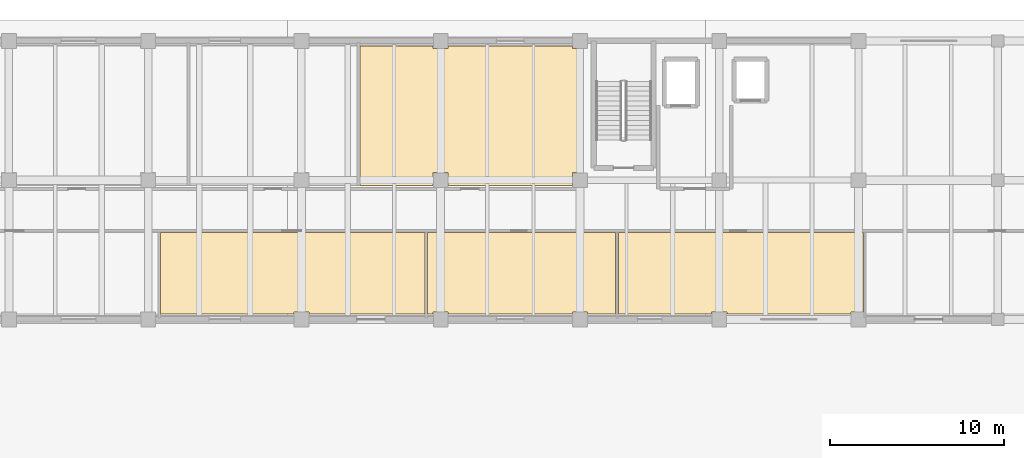
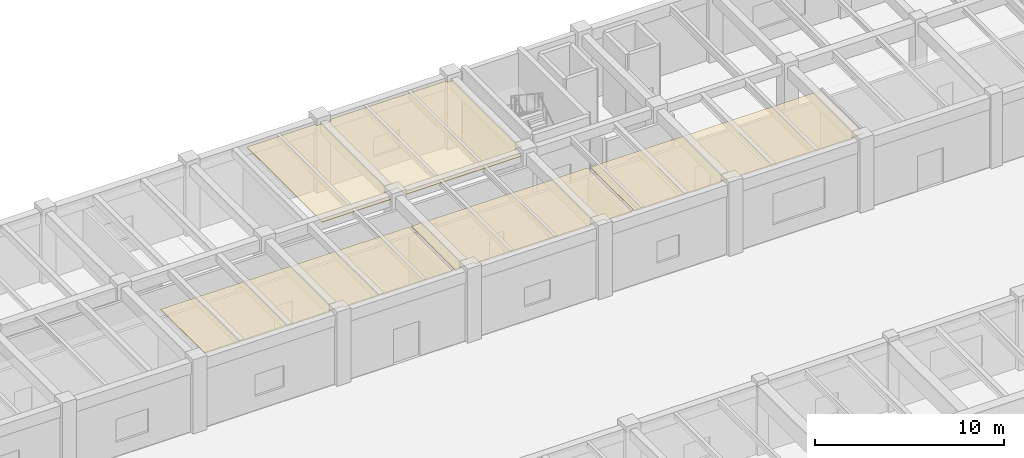
# One storey, part 57 of 64: 4 coverings.
"""IFC4 building model written with IfcOpenShell, lengths in metres."""

from ifc_helpers import new_model, si_unit, direction, frame, origin, place, context, subcontext, project, spatial, polyline, outline, extrude, material, layer, layer_set, type_object, element, save


model = new_model("IFC4")

# Units and contexts
model_context = context("Model", 3, precision=1e-05, world=origin(), true_north=direction((0.0, 1.0)))
body_context = subcontext(model_context, "Body", "Model", "MODEL_VIEW")
ifc_project = project(units=[si_unit("LENGTHUNIT", "METRE"), si_unit("AREAUNIT", "SQUARE_METRE"), si_unit("VOLUMEUNIT", "CUBIC_METRE"), si_unit("PLANEANGLEUNIT", "RADIAN"), si_unit("MASSUNIT", "GRAM", prefix="KILO")], contexts=[model_context])

# Site, building, storey
site_placement = place(None, origin())
site = spatial("IfcSite", under=ifc_project, at=site_placement, CompositionType="ELEMENT")
building_placement = place(site_placement, origin())
building = spatial("IfcBuilding", under=site, at=building_placement, Name="Tlaxcora Railside Police Headquarters", CompositionType="ELEMENT")
storey_placement = place(building_placement, origin())
storey = spatial("IfcBuildingStorey", under=building, at=storey_placement, Name="L00", CompositionType="ELEMENT", Elevation=0.0)

# Coverings
ifc_material = material(Name="Mineral-fibre acoustic ceiling tile")
ifc_layer = layer(ifc_material, 0.034912109375, Name="Mineral-fibre acoustic ceiling tile")
ifc_layer_set = layer_set([ifc_layer], Name="Mineral-fibre acoustic ceiling tile")
covering_type = type_object("IfcCoveringType", Name="Acoustic Suspended Ceiling CLG-01", PredefinedType="CEILING", material=ifc_layer_set)
covering_1_placement = place(storey_placement, frame((0.0, 0.0, 4.364990234375)))
element("IfcCovering", 1, at=covering_1_placement, inside=storey, type_object=covering_type, Name="Patrol Sergeant Operations Suite suspended ceiling", PredefinedType="CEILING", context=body_context, shape_type="SweptSolid", body=[
    extrude(outline(polyline([(45.912109375, 77.10009765625), (53.56494140625, 77.10009765625), (53.56494140625, 77.235107421875), (54.43505859375, 77.235107421875), (54.43505859375, 77.10009765625), (61.087890625, 77.10009765625), (61.087890625, 81.800048828125), (45.912109375, 81.800048828125), (45.912109375, 77.10009765625)])), origin(), (0.0, 0.0, 1.0), 0.034912109375),
])
covering_2_placement = place(storey_placement, frame((0.0, 0.0, 4.364990234375)))
element("IfcCovering", 2, at=covering_2_placement, inside=storey, type_object=covering_type, Name="Field Kit and Body-Camera Issue Room suspended ceiling", PredefinedType="CEILING", context=body_context, shape_type="SweptSolid", body=[
    extrude(outline(polyline([(61.248046875, 81.800048828125), (61.248046875, 77.10009765625), (61.56494140625, 77.10009765625), (61.56494140625, 77.235107421875), (62.43505859375, 77.235107421875), (62.43505859375, 77.10009765625), (69.56494140625, 77.10009765625), (69.56494140625, 77.235107421875), (70.43505859375, 77.235107421875), (70.43505859375, 77.10009765625), (72.04296875, 77.10009765625), (72.04296875, 81.800048828125), (61.248046875, 81.800048828125)])), origin(), (0.0, 0.0, 1.0), 0.034912109375),
])
covering_3_placement = place(storey_placement, frame((0.0, 0.0, 4.364990234375)))
element("IfcCovering", 3, at=covering_3_placement, inside=storey, type_object=covering_type, Name="Traffic Patrol Dispatch Office suspended ceiling", PredefinedType="CEILING", context=body_context, shape_type="SweptSolid", body=[
    extrude(outline(polyline([(72.202880859375, 81.800048828125), (72.202880859375, 77.10009765625), (77.56494140625, 77.10009765625), (77.56494140625, 77.235107421875), (78.43505859375, 77.235107421875), (78.43505859375, 77.10009765625), (85.56494140625, 77.10009765625), (85.56494140625, 77.235107421875), (86.283935546875, 77.235107421875), (86.283935546875, 81.800048828125), (72.202880859375, 81.800048828125)])), origin(), (0.0, 0.0, 1.0), 0.034912109375),
])
covering_4_placement = place(storey_placement, frame((0.0, 0.0, 4.364990234375)))
element("IfcCovering", 4, at=covering_4_placement, inside=storey, type_object=covering_type, Name="Quartermaster Uniform Store suspended ceiling", PredefinedType="CEILING", context=body_context, shape_type="SweptSolid", body=[
    extrude(outline(polyline([(61.56494140625, 92.364990234375), (61.56494140625, 92.5), (57.368896484375, 92.5), (57.368896484375, 84.5), (61.56494140625, 84.5), (61.56494140625, 85.235107421875), (62.43505859375, 85.235107421875), (62.43505859375, 84.5), (69.56494140625, 84.5), (69.56494140625, 85.235107421875), (70.0, 85.235107421875), (70.0, 92.364990234375), (69.56494140625, 92.364990234375), (69.56494140625, 92.5), (62.43505859375, 92.5), (62.43505859375, 92.364990234375), (61.56494140625, 92.364990234375)])), origin(), (0.0, 0.0, 1.0), 0.034912109375),
])

save(model, "model.ifc")
